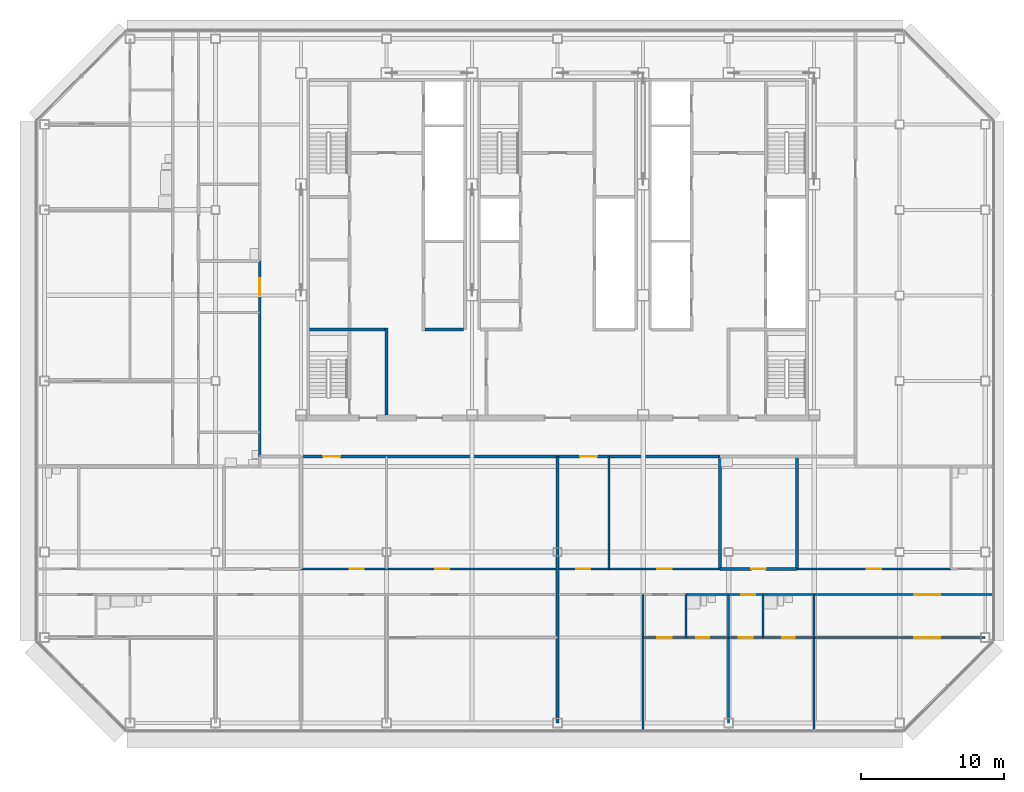
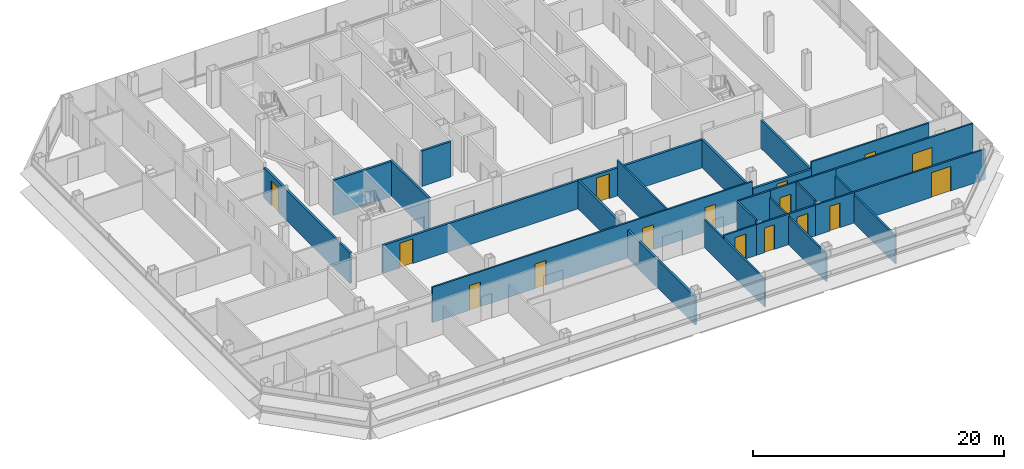
# One storey, part 21 of 26: 28 walls, 16 doors, 16 openings.
"""IFC4 building model written with IfcOpenShell, lengths in metres."""

from ifc_helpers import new_model, si_unit, direction, frame, frame_2d, origin, place, context, subcontext, project, spatial, rectangle, extrude, material, layer, layer_set, type_object, element, fill, save


model = new_model("IFC4")

# Units and contexts
model_context = context("Model", 3, precision=1e-05, world=origin(), true_north=direction((0.0, 1.0)))
body_context = subcontext(model_context, "Body", "Model", "MODEL_VIEW")
ifc_project = project(units=[si_unit("LENGTHUNIT", "METRE"), si_unit("AREAUNIT", "SQUARE_METRE"), si_unit("VOLUMEUNIT", "CUBIC_METRE"), si_unit("PLANEANGLEUNIT", "RADIAN"), si_unit("MASSUNIT", "GRAM", prefix="KILO")], contexts=[model_context])

# Site, building, storey
site_placement = place(None, origin())
site = spatial("IfcSite", under=ifc_project, at=site_placement, CompositionType="ELEMENT")
building_placement = place(site_placement, origin())
building = spatial("IfcBuilding", under=site, at=building_placement, Name="Sorahane Residences", CompositionType="ELEMENT")
storey_placement = place(building_placement, frame((0.0, 0.0, 243.199951171875)))
storey = spatial("IfcBuildingStorey", under=building, at=storey_placement, Name="L57", CompositionType="ELEMENT", Elevation=243.199951171875)

# Wall, opening, door
ifc_material_1 = material(Name="Concrete blockwork C20 wall", Category="masonry")
ifc_layer_1 = layer(ifc_material_1, 0.199951171875)
ifc_layer_set_1 = layer_set([ifc_layer_1], Name="Corridor wall 200 EI 120")
wall_type_1 = type_object("IfcWallType", Name="Corridor wall 200 EI 120", PredefinedType="SOLIDWALL", material=ifc_layer_set_1)
wall_1_placement = place(storey_placement, frame((3.10009765625, 18.699951171875, 0.0), z_axis=(0.0, 0.0, 1.0), x_axis=(0.0, 1.0, 0.0)))
wall_1 = element("IfcWall", 1, at=wall_1_placement, inside=storey, type_object=wall_type_1, Name="L57 corridor wall", PredefinedType="SOLIDWALL", context=body_context, shape_type="SweptSolid", body=[
    extrude(rectangle(XDim=13.699951171875, YDim=0.199951171875, at=frame_2d((6.85009765625, 0.0))), origin(), (0.0, 0.0, 1.0), 2.969970703125),
])
opening_1_placement = place(wall_1_placement, frame((11.300048828125, 0.0, 0.0)))
opening_1 = element("IfcOpeningElement", 2, at=opening_1_placement, cuts=wall_1, Name="Opening L57-42", PredefinedType="OPENING", context=body_context, shape_type="SweptSolid", body=[
    extrude(rectangle(XDim=1.199951171875, YDim=2.39990234375, at=frame_2d((0.60009765625, 1.199951171875))), frame((0.0, 0.10986328125, 0.0), z_axis=(0.0, -1.0, 0.0), x_axis=(1.0, 0.0, 0.0)), (0.0, 0.0, 1.0), 0.219970703125),
])
ifc_material_2 = material(Name="Timber veneered fire door", Category="wood")
door_type_1 = type_object("IfcDoorType", Name="Flat entrance door 1200x2400 FD60", OperationType="NOTDEFINED", PredefinedType="DOOR", material=ifc_material_2)
door_1_placement = place(opening_1_placement, origin())
door_1 = element("IfcDoor", 3, at=door_1_placement, inside=storey, type_object=door_type_1, Name="Flat entrance door L57-42", OperationType="SINGLE_SWING_LEFT", OverallHeight=2.39990234375, OverallWidth=1.199951171875, PredefinedType="DOOR", context=body_context, shape_type="SweptSolid", body=[
    extrude(rectangle(XDim=1.199951171875, YDim=2.39990234375, at=frame_2d((0.60009765625, 1.199951171875))), frame((0.0, 0.02490234375, 0.0), z_axis=(0.0, -1.0, 0.0), x_axis=(1.0, 0.0, 0.0)), (0.0, 0.0, 1.0), 0.050048828125),
])
fill(opening_1, door_1)

# Wall, openings, doors
wall_2_placement = place(storey_placement, frame((6.0, 18.699951171875, 0.0), z_axis=(0.0, 0.0, 1.0), x_axis=(1.0, 0.0, 0.0)))
wall_2 = element("IfcWall", 4, at=wall_2_placement, inside=storey, type_object=wall_type_1, Name="L57 corridor wall", PredefinedType="SOLIDWALL", context=body_context, shape_type="SweptSolid", body=[
    extrude(rectangle(XDim=29.39990234375, YDim=0.199951171875, at=frame_2d((14.699951171875, 0.0))), origin(), (0.0, 0.0, 1.0), 2.719970703125),
])
opening_2_placement = place(wall_2_placement, frame((1.5400390625, 0.0, 0.0)))
opening_2 = element("IfcOpeningElement", 5, at=opening_2_placement, cuts=wall_2, Name="Opening L57-40", PredefinedType="OPENING", context=body_context, shape_type="SweptSolid", body=[
    extrude(rectangle(XDim=1.199951171875, YDim=2.39990234375, at=frame_2d((0.60009765625, 1.199951171875))), frame((0.0, 0.10986328125, 0.0), z_axis=(0.0, -1.0, 0.0), x_axis=(1.0, 0.0, 0.0)), (0.0, 0.0, 1.0), 0.219970703125),
])
opening_3_placement = place(wall_2_placement, frame((19.580078125, 0.0, 0.0)))
opening_3 = element("IfcOpeningElement", 6, at=opening_3_placement, cuts=wall_2, Name="Opening L57-41", PredefinedType="OPENING", context=body_context, shape_type="SweptSolid", body=[
    extrude(rectangle(XDim=1.199951171875, YDim=2.39990234375, at=frame_2d((0.60009765625, 1.199951171875))), frame((0.0, 0.10986328125, 0.0), z_axis=(0.0, -1.0, 0.0), x_axis=(1.0, 0.0, 0.0)), (0.0, 0.0, 1.0), 0.219970703125),
])
door_2_placement = place(opening_2_placement, frame((1.199951171875, 0.0, 0.0), z_axis=(0.0, 0.0, 1.0), x_axis=(-1.0, 0.0, 0.0)))
door_2 = element("IfcDoor", 7, at=door_2_placement, inside=storey, type_object=door_type_1, Name="Flat entrance door L57-40", OperationType="SINGLE_SWING_LEFT", OverallHeight=2.39990234375, OverallWidth=1.199951171875, PredefinedType="DOOR", context=body_context, shape_type="SweptSolid", body=[
    extrude(rectangle(XDim=1.199951171875, YDim=2.39990234375, at=frame_2d((0.60009765625, 1.199951171875))), frame((0.0, 0.02490234375, 0.0), z_axis=(0.0, -1.0, 0.0), x_axis=(1.0, 0.0, 0.0)), (0.0, 0.0, 1.0), 0.050048828125),
])
fill(opening_2, door_2)
door_3_placement = place(opening_3_placement, frame((1.199951171875, 0.0, 0.0), z_axis=(0.0, 0.0, 1.0), x_axis=(-1.0, 0.0, 0.0)))
door_3 = element("IfcDoor", 8, at=door_3_placement, inside=storey, type_object=door_type_1, Name="Flat entrance door L57-41", OperationType="SINGLE_SWING_RIGHT", OverallHeight=2.39990234375, OverallWidth=1.199951171875, PredefinedType="DOOR", context=body_context, shape_type="SweptSolid", body=[
    extrude(rectangle(XDim=1.199951171875, YDim=2.39990234375, at=frame_2d((0.60009765625, 1.199951171875))), frame((0.0, 0.02490234375, 0.0), z_axis=(0.0, -1.0, 0.0), x_axis=(1.0, 0.0, 0.0)), (0.0, 0.0, 1.0), 0.050048828125),
])
fill(opening_3, door_3)

# Walls
ifc_material_3 = material(Name="Concrete C30", Category="concrete")
ifc_layer_2 = layer(ifc_material_3, 0.199951171875)
ifc_layer_set_2 = layer_set([ifc_layer_2], Name="Front room wall 200 EI 120")
wall_type_2 = type_object("IfcWallType", Name="Front room wall 200 EI 120", PredefinedType="PARTITIONING", material=ifc_layer_set_2)
wall_3_placement = place(storey_placement, frame((12.0, 21.60009765625, 0.0), z_axis=(0.0, 0.0, 1.0), x_axis=(0.0, 1.0, 0.0)))
element("IfcWall", 9, at=wall_3_placement, inside=storey, type_object=wall_type_2, Name="L57 front room wall", PredefinedType="PARTITIONING", context=body_context, shape_type="SweptSolid", body=[
    extrude(rectangle(XDim=6.099853515625, YDim=0.199951171875, at=frame_2d((3.0498046875, 0.0))), origin(), (0.0, 0.0, 1.0), 3.420166015625),
])
ifc_material_4 = material(Name="Concrete blockwork C20 wall", Category="masonry")
ifc_layer_3 = layer(ifc_material_4, 0.199951171875)
ifc_layer_set_3 = layer_set([ifc_layer_3], Name="Kitchen wall 200 EI 180")
wall_type_3 = type_object("IfcWallType", Name="Kitchen wall 200 EI 180", PredefinedType="SOLIDWALL", material=ifc_layer_set_3)
for number, where, z_axis, x_axis, name in (
    (10, (35.39990234375, 10.800048828125, 0.0), (0.0, 0.0, 1.0), (0.0, 1.0, 0.0), "L57 kitchen wall"),
    (11, (40.800048828125, 10.800048828125, 0.0), (0.0, 0.0, 1.0), (0.0, 1.0, 0.0), "L57 kitchen wall"),
):
    element("IfcWall", number, at=place(storey_placement, frame(where, z_axis=z_axis, x_axis=x_axis)), inside=storey, type_object=wall_type_3, Name=name, PredefinedType="SOLIDWALL", context=body_context, shape_type="SweptSolid", body=[
        extrude(rectangle(XDim=7.89990234375, YDim=0.199951171875, at=frame_2d((3.949951171875, 0.0))), origin(), (0.0, 0.0, 1.0), 2.719970703125),
    ])

# Wall, opening, door
wall_4_placement = place(storey_placement, frame((35.39990234375, 10.800048828125, 0.0), z_axis=(0.0, 0.0, 1.0), x_axis=(1.0, 0.0, 0.0)))
wall_4 = element("IfcWall", 12, at=wall_4_placement, inside=storey, type_object=wall_type_3, Name="L57 kitchen wall", PredefinedType="SOLIDWALL", context=body_context, shape_type="SweptSolid", body=[
    extrude(rectangle(XDim=5.400146484375, YDim=0.199951171875, at=frame_2d((2.7001953125, 0.0))), origin(), (0.0, 0.0, 1.0), 2.719970703125),
])
opening_4_placement = place(wall_4_placement, frame((2.199951171875, 0.0, 0.0)))
opening_4 = element("IfcOpeningElement", 13, at=opening_4_placement, cuts=wall_4, Name="Opening L57-16", PredefinedType="OPENING", context=body_context, shape_type="SweptSolid", body=[
    extrude(rectangle(XDim=1.0, YDim=2.39990234375, at=frame_2d((0.5, 1.199951171875))), frame((0.0, 0.10986328125, 0.0), z_axis=(0.0, -1.0, 0.0), x_axis=(1.0, 0.0, 0.0)), (0.0, 0.0, 1.0), 0.219970703125),
])
ifc_material_5 = material(Name="Steel", Category="steel")
door_type_2 = type_object("IfcDoorType", Name="Kitchen door 1000x2400 FD120", OperationType="NOTDEFINED", PredefinedType="DOOR", material=ifc_material_5)
door_4_placement = place(opening_4_placement, origin())
door_4 = element("IfcDoor", 14, at=door_4_placement, inside=storey, type_object=door_type_2, Name="Kitchen door L57-16", OperationType="SINGLE_SWING_LEFT", OverallHeight=2.39990234375, OverallWidth=1.0, PredefinedType="DOOR", context=body_context, shape_type="SweptSolid", body=[
    extrude(rectangle(XDim=1.0, YDim=2.39990234375, at=frame_2d((0.5, 1.199951171875))), frame((0.0, 0.02490234375, 0.0), z_axis=(0.0, -1.0, 0.0), x_axis=(1.0, 0.0, 0.0)), (0.0, 0.0, 1.0), 0.050048828125),
])
fill(opening_4, door_4)

# Walls
ifc_material_6 = material(Name="Gypsum board partition on steel studs", Category="steel")
ifc_layer_4 = layer(ifc_material_6, 0.14990234375)
ifc_layer_set_4 = layer_set([ifc_layer_4], Name="Partition 150 EI 90")
wall_type_4 = type_object("IfcWallType", Name="Partition 150 EI 90", PredefinedType="PARTITIONING", material=ifc_layer_set_4)
wall_5_placement = place(storey_placement, frame((27.60009765625, 10.800048828125, 0.0), z_axis=(0.0, 0.0, 1.0), x_axis=(0.0, 1.0, 0.0)))
element("IfcWall", 15, at=wall_5_placement, inside=storey, type_object=wall_type_4, Name="L57 partition", PredefinedType="PARTITIONING", context=body_context, shape_type="SweptSolid", body=[
    extrude(rectangle(XDim=7.89990234375, YDim=0.14990234375, at=frame_2d((3.949951171875, 0.0))), origin(), (0.0, 0.0, 1.0), 3.420166015625),
])
wall_6_placement = place(storey_placement, frame((30.0, -0.60009765625, 0.0), z_axis=(0.0, 0.0, 1.0), x_axis=(0.0, 1.0, 0.0)))
element("IfcWall", 16, at=wall_6_placement, inside=storey, type_object=wall_type_4, Name="L57 partition", PredefinedType="PARTITIONING", context=body_context, shape_type="SweptSolid", body=[
    extrude(rectangle(XDim=9.60009765625, YDim=0.14990234375, at=frame_2d((4.800048828125, 0.0))), origin(), (0.0, 0.0, 1.0), 2.719970703125),
])
wall_7_placement = place(storey_placement, frame((36.0, 0.0, 0.0), z_axis=(0.0, 0.0, 1.0), x_axis=(0.0, 1.0, 0.0)))
element("IfcWall", 17, at=wall_7_placement, inside=storey, type_object=wall_type_4, Name="L57 partition", PredefinedType="PARTITIONING", context=body_context, shape_type="SweptSolid", body=[
    extrude(rectangle(XDim=6.0, YDim=0.14990234375, at=frame_2d((3.0, 0.0))), origin(), (0.0, 0.0, 1.0), 2.719970703125),
])
wall_8_placement = place(storey_placement, frame((42.0, -0.60009765625, 0.0), z_axis=(0.0, 0.0, 1.0), x_axis=(0.0, 1.0, 0.0)))
element("IfcWall", 18, at=wall_8_placement, inside=storey, type_object=wall_type_4, Name="L57 partition", PredefinedType="PARTITIONING", context=body_context, shape_type="SweptSolid", body=[
    extrude(rectangle(XDim=6.60009765625, YDim=0.14990234375, at=frame_2d((3.300048828125, 0.0))), origin(), (0.0, 0.0, 1.0), 2.719970703125),
])

# Wall, openings, doors
wall_9_placement = place(storey_placement, frame((6.0, 10.800048828125, 0.0), z_axis=(0.0, 0.0, 1.0), x_axis=(1.0, 0.0, 0.0)))
wall_9 = element("IfcWall", 19, at=wall_9_placement, inside=storey, type_object=wall_type_4, Name="L57 partition", PredefinedType="PARTITIONING", context=body_context, shape_type="SweptSolid", body=[
    extrude(rectangle(XDim=29.39990234375, YDim=0.14990234375, at=frame_2d((14.699951171875, 0.0))), origin(), (0.0, 0.0, 1.0), 3.420166015625),
])
opening_5_placement = place(wall_9_placement, frame((3.39990234375, 0.0, 0.0)))
opening_5 = element("IfcOpeningElement", 20, at=opening_5_placement, cuts=wall_9, Name="Opening L57-01", PredefinedType="OPENING", context=body_context, shape_type="SweptSolid", body=[
    extrude(rectangle(XDim=1.0, YDim=2.39990234375, at=frame_2d((0.5, 1.199951171875))), frame((0.0, 0.0849609375, 0.0), z_axis=(0.0, -1.0, 0.0), x_axis=(1.0, 0.0, 0.0)), (0.0, 0.0, 1.0), 0.169921875),
])
opening_6_placement = place(wall_9_placement, frame((9.39990234375, 0.0, 0.0)))
opening_6 = element("IfcOpeningElement", 21, at=opening_6_placement, cuts=wall_9, Name="Opening L57-05", PredefinedType="OPENING", context=body_context, shape_type="SweptSolid", body=[
    extrude(rectangle(XDim=1.0, YDim=2.39990234375, at=frame_2d((0.5, 1.199951171875))), frame((0.0, 0.0849609375, 0.0), z_axis=(0.0, -1.0, 0.0), x_axis=(1.0, 0.0, 0.0)), (0.0, 0.0, 1.0), 0.169921875),
])
opening_7_placement = place(wall_9_placement, frame((19.300048828125, 0.0, 0.0)))
opening_7 = element("IfcOpeningElement", 22, at=opening_7_placement, cuts=wall_9, Name="Opening L57-14", PredefinedType="OPENING", context=body_context, shape_type="SweptSolid", body=[
    extrude(rectangle(XDim=1.0, YDim=2.39990234375, at=frame_2d((0.5, 1.199951171875))), frame((0.0, 0.0849609375, 0.0), z_axis=(0.0, -1.0, 0.0), x_axis=(1.0, 0.0, 0.0)), (0.0, 0.0, 1.0), 0.169921875),
])
opening_8_placement = place(wall_9_placement, frame((25.0, 0.0, 0.0)))
opening_8 = element("IfcOpeningElement", 23, at=opening_8_placement, cuts=wall_9, Name="Opening L57-15", PredefinedType="OPENING", context=body_context, shape_type="SweptSolid", body=[
    extrude(rectangle(XDim=1.0, YDim=2.39990234375, at=frame_2d((0.5, 1.199951171875))), frame((0.0, 0.0849609375, 0.0), z_axis=(0.0, -1.0, 0.0), x_axis=(1.0, 0.0, 0.0)), (0.0, 0.0, 1.0), 0.169921875),
])
ifc_material_7 = material(Name="Timber veneered fire door", Category="wood")
door_type_3 = type_object("IfcDoorType", Name="Room door 1000x2400 FD30", OperationType="NOTDEFINED", PredefinedType="DOOR", material=ifc_material_7)
door_5_placement = place(opening_5_placement, frame((1.0, 0.0, 0.0), z_axis=(0.0, 0.0, 1.0), x_axis=(-1.0, 0.0, 0.0)))
door_5 = element("IfcDoor", 24, at=door_5_placement, inside=storey, type_object=door_type_3, Name="Room door L57-01", OperationType="SINGLE_SWING_LEFT", OverallHeight=2.39990234375, OverallWidth=1.0, PredefinedType="DOOR", context=body_context, shape_type="SweptSolid", body=[
    extrude(rectangle(XDim=1.0, YDim=2.39990234375, at=frame_2d((0.5, 1.199951171875))), frame((0.0, 0.02490234375, 0.0), z_axis=(0.0, -1.0, 0.0), x_axis=(1.0, 0.0, 0.0)), (0.0, 0.0, 1.0), 0.050048828125),
])
fill(opening_5, door_5)
door_6_placement = place(opening_6_placement, origin())
door_6 = element("IfcDoor", 25, at=door_6_placement, inside=storey, type_object=door_type_3, Name="Room door L57-05", OperationType="SINGLE_SWING_LEFT", OverallHeight=2.39990234375, OverallWidth=1.0, PredefinedType="DOOR", context=body_context, shape_type="SweptSolid", body=[
    extrude(rectangle(XDim=1.0, YDim=2.39990234375, at=frame_2d((0.5, 1.199951171875))), frame((0.0, 0.02490234375, 0.0), z_axis=(0.0, -1.0, 0.0), x_axis=(1.0, 0.0, 0.0)), (0.0, 0.0, 1.0), 0.050048828125),
])
fill(opening_6, door_6)
door_7_placement = place(opening_7_placement, frame((1.0, 0.0, 0.0), z_axis=(0.0, 0.0, 1.0), x_axis=(-1.0, 0.0, 0.0)))
door_7 = element("IfcDoor", 26, at=door_7_placement, inside=storey, type_object=door_type_3, Name="Room door L57-14", OperationType="SINGLE_SWING_LEFT", OverallHeight=2.39990234375, OverallWidth=1.0, PredefinedType="DOOR", context=body_context, shape_type="SweptSolid", body=[
    extrude(rectangle(XDim=1.0, YDim=2.39990234375, at=frame_2d((0.5, 1.199951171875))), frame((0.0, 0.02490234375, 0.0), z_axis=(0.0, -1.0, 0.0), x_axis=(1.0, 0.0, 0.0)), (0.0, 0.0, 1.0), 0.050048828125),
])
fill(opening_7, door_7)
door_8_placement = place(opening_8_placement, origin())
door_8 = element("IfcDoor", 27, at=door_8_placement, inside=storey, type_object=door_type_3, Name="Room door L57-15", OperationType="SINGLE_SWING_LEFT", OverallHeight=2.39990234375, OverallWidth=1.0, PredefinedType="DOOR", context=body_context, shape_type="SweptSolid", body=[
    extrude(rectangle(XDim=1.0, YDim=2.39990234375, at=frame_2d((0.5, 1.199951171875))), frame((0.0, 0.02490234375, 0.0), z_axis=(0.0, -1.0, 0.0), x_axis=(1.0, 0.0, 0.0)), (0.0, 0.0, 1.0), 0.050048828125),
])
fill(opening_8, door_8)

# Wall, opening, door
wall_10_placement = place(storey_placement, frame((40.800048828125, 10.800048828125, 0.0), z_axis=(0.0, 0.0, 1.0), x_axis=(1.0, 0.0, 0.0)))
wall_10 = element("IfcWall", 28, at=wall_10_placement, inside=storey, type_object=wall_type_4, Name="L57 partition", PredefinedType="PARTITIONING", context=body_context, shape_type="SweptSolid", body=[
    extrude(rectangle(XDim=10.800048828125, YDim=0.14990234375, at=frame_2d((5.39990234375, 0.0))), origin(), (0.0, 0.0, 1.0), 3.420166015625),
])
opening_9_placement = place(wall_10_placement, frame((4.89990234375, 0.0, 0.0)))
opening_9 = element("IfcOpeningElement", 29, at=opening_9_placement, cuts=wall_10, Name="Opening L57-17", PredefinedType="OPENING", context=body_context, shape_type="SweptSolid", body=[
    extrude(rectangle(XDim=1.0, YDim=2.39990234375, at=frame_2d((0.5, 1.199951171875))), frame((0.0, 0.0849609375, 0.0), z_axis=(0.0, -1.0, 0.0), x_axis=(1.0, 0.0, 0.0)), (0.0, 0.0, 1.0), 0.169921875),
])
door_9_placement = place(opening_9_placement, origin())
door_9 = element("IfcDoor", 30, at=door_9_placement, inside=storey, type_object=door_type_3, Name="Room door L57-17", OperationType="SINGLE_SWING_RIGHT", OverallHeight=2.39990234375, OverallWidth=1.0, PredefinedType="DOOR", context=body_context, shape_type="SweptSolid", body=[
    extrude(rectangle(XDim=1.0, YDim=2.39990234375, at=frame_2d((0.5, 1.199951171875))), frame((0.0, 0.02490234375, 0.0), z_axis=(0.0, -1.0, 0.0), x_axis=(1.0, 0.0, 0.0)), (0.0, 0.0, 1.0), 0.050048828125),
])
fill(opening_9, door_9)

wall_11_placement = place(storey_placement, frame((30.0, 6.0, 0.0), z_axis=(0.0, 0.0, 1.0), x_axis=(1.0, 0.0, 0.0)))
wall_11 = element("IfcWall", 31, at=wall_11_placement, inside=storey, type_object=wall_type_4, Name="L57 partition", PredefinedType="PARTITIONING", context=body_context, shape_type="SweptSolid", body=[
    extrude(rectangle(XDim=3.0, YDim=0.14990234375, at=frame_2d((1.5, 0.0))), origin(), (0.0, 0.0, 1.0), 2.969970703125),
])
opening_10_placement = place(wall_11_placement, frame((1.0, 0.0, 0.0)))
opening_10 = element("IfcOpeningElement", 32, at=opening_10_placement, cuts=wall_11, Name="Opening L57-23", PredefinedType="OPENING", context=body_context, shape_type="SweptSolid", body=[
    extrude(rectangle(XDim=1.0, YDim=2.39990234375, at=frame_2d((0.5, 1.199951171875))), frame((0.0, 0.0849609375, 0.0), z_axis=(0.0, -1.0, 0.0), x_axis=(1.0, 0.0, 0.0)), (0.0, 0.0, 1.0), 0.169921875),
])
door_10_placement = place(opening_10_placement, frame((1.0, 0.0, 0.0), z_axis=(0.0, 0.0, 1.0), x_axis=(-1.0, 0.0, 0.0)))
door_10 = element("IfcDoor", 33, at=door_10_placement, inside=storey, type_object=door_type_3, Name="Room door L57-23", OperationType="SINGLE_SWING_LEFT", OverallHeight=2.39990234375, OverallWidth=1.0, PredefinedType="DOOR", context=body_context, shape_type="SweptSolid", body=[
    extrude(rectangle(XDim=1.0, YDim=2.39990234375, at=frame_2d((0.5, 1.199951171875))), frame((0.0, 0.02490234375, 0.0), z_axis=(0.0, -1.0, 0.0), x_axis=(1.0, 0.0, 0.0)), (0.0, 0.0, 1.0), 0.050048828125),
])
fill(opening_10, door_10)

wall_12_placement = place(storey_placement, frame((36.0, 6.0, 0.0), z_axis=(0.0, 0.0, 1.0), x_axis=(1.0, 0.0, 0.0)))
wall_12 = element("IfcWall", 34, at=wall_12_placement, inside=storey, type_object=wall_type_4, Name="L57 partition", PredefinedType="PARTITIONING", context=body_context, shape_type="SweptSolid", body=[
    extrude(rectangle(XDim=2.39990234375, YDim=0.14990234375, at=frame_2d((1.199951171875, 0.0))), origin(), (0.0, 0.0, 1.0), 2.969970703125),
])
opening_11_placement = place(wall_12_placement, frame((0.699951171875, 0.0, 0.0)))
opening_11 = element("IfcOpeningElement", 35, at=opening_11_placement, cuts=wall_12, Name="Opening L57-25", PredefinedType="OPENING", context=body_context, shape_type="SweptSolid", body=[
    extrude(rectangle(XDim=1.0, YDim=2.39990234375, at=frame_2d((0.5, 1.199951171875))), frame((0.0, 0.0849609375, 0.0), z_axis=(0.0, -1.0, 0.0), x_axis=(1.0, 0.0, 0.0)), (0.0, 0.0, 1.0), 0.169921875),
])
door_11_placement = place(opening_11_placement, frame((1.0, 0.0, 0.0), z_axis=(0.0, 0.0, 1.0), x_axis=(-1.0, 0.0, 0.0)))
door_11 = element("IfcDoor", 36, at=door_11_placement, inside=storey, type_object=door_type_3, Name="Room door L57-25", OperationType="SINGLE_SWING_RIGHT", OverallHeight=2.39990234375, OverallWidth=1.0, PredefinedType="DOOR", context=body_context, shape_type="SweptSolid", body=[
    extrude(rectangle(XDim=1.0, YDim=2.39990234375, at=frame_2d((0.5, 1.199951171875))), frame((0.0, 0.02490234375, 0.0), z_axis=(0.0, -1.0, 0.0), x_axis=(1.0, 0.0, 0.0)), (0.0, 0.0, 1.0), 0.050048828125),
])
fill(opening_11, door_11)

wall_13_placement = place(storey_placement, frame((42.0, 6.0, 0.0), z_axis=(0.0, 0.0, 1.0), x_axis=(1.0, 0.0, 0.0)))
wall_13 = element("IfcWall", 37, at=wall_13_placement, inside=storey, type_object=wall_type_4, Name="L57 partition", PredefinedType="PARTITIONING", context=body_context, shape_type="SweptSolid", body=[
    extrude(rectangle(XDim=12.0, YDim=0.14990234375, at=frame_2d((6.0, 0.0))), origin(), (0.0, 0.0, 1.0), 2.969970703125),
])
opening_12_placement = place(wall_13_placement, frame((7.0400390625, 0.0, 0.0)))
opening_12 = element("IfcOpeningElement", 38, at=opening_12_placement, cuts=wall_13, Name="Opening L57-27", PredefinedType="OPENING", context=body_context, shape_type="SweptSolid", body=[
    extrude(rectangle(XDim=1.800048828125, YDim=2.39990234375, at=frame_2d((0.89990234375, 1.199951171875))), frame((0.0, 0.0849609375, 0.0), z_axis=(0.0, -1.0, 0.0), x_axis=(1.0, 0.0, 0.0)), (0.0, 0.0, 1.0), 0.169921875),
])
ifc_material_8 = material(Name="Timber veneered fire door", Category="wood")
door_type_4 = type_object("IfcDoorType", Name="Double door 1800x2400 FD30", OperationType="NOTDEFINED", PredefinedType="DOOR", material=ifc_material_8)
door_12_placement = place(opening_12_placement, frame((1.800048828125, 0.0, 0.0), z_axis=(0.0, 0.0, 1.0), x_axis=(-1.0, 0.0, 0.0)))
door_12 = element("IfcDoor", 39, at=door_12_placement, inside=storey, type_object=door_type_4, Name="Double door L57-27", OperationType="SINGLE_SWING_RIGHT", OverallHeight=2.39990234375, OverallWidth=1.800048828125, PredefinedType="DOOR", context=body_context, shape_type="SweptSolid", body=[
    extrude(rectangle(XDim=1.800048828125, YDim=2.39990234375, at=frame_2d((0.89990234375, 1.199951171875))), frame((0.0, 0.02490234375, 0.0), z_axis=(0.0, -1.0, 0.0), x_axis=(1.0, 0.0, 0.0)), (0.0, 0.0, 1.0), 0.050048828125),
])
fill(opening_12, door_12)

wall_14_placement = place(storey_placement, frame((36.0, 9.0, 0.0), z_axis=(0.0, 0.0, 1.0), x_axis=(1.0, 0.0, 0.0)))
wall_14 = element("IfcWall", 40, at=wall_14_placement, inside=storey, type_object=wall_type_4, Name="L57 partition", PredefinedType="PARTITIONING", context=body_context, shape_type="SweptSolid", body=[
    extrude(rectangle(XDim=2.39990234375, YDim=0.14990234375, at=frame_2d((1.199951171875, 0.0))), origin(), (0.0, 0.0, 1.0), 3.420166015625),
])
opening_13_placement = place(wall_14_placement, frame((0.8798828125, 0.0, 0.0)))
opening_13 = element("IfcOpeningElement", 41, at=opening_13_placement, cuts=wall_14, Name="Opening L57-21", PredefinedType="OPENING", context=body_context, shape_type="SweptSolid", body=[
    extrude(rectangle(XDim=1.0, YDim=2.39990234375, at=frame_2d((0.5, 1.199951171875))), frame((0.0, 0.0849609375, 0.0), z_axis=(0.0, -1.0, 0.0), x_axis=(1.0, 0.0, 0.0)), (0.0, 0.0, 1.0), 0.169921875),
])
door_13_placement = place(opening_13_placement, frame((1.0, 0.0, 0.0), z_axis=(0.0, 0.0, 1.0), x_axis=(-1.0, 0.0, 0.0)))
door_13 = element("IfcDoor", 42, at=door_13_placement, inside=storey, type_object=door_type_3, Name="Room door L57-21", OperationType="SINGLE_SWING_RIGHT", OverallHeight=2.39990234375, OverallWidth=1.0, PredefinedType="DOOR", context=body_context, shape_type="SweptSolid", body=[
    extrude(rectangle(XDim=1.0, YDim=2.39990234375, at=frame_2d((0.5, 1.199951171875))), frame((0.0, 0.02490234375, 0.0), z_axis=(0.0, -1.0, 0.0), x_axis=(1.0, 0.0, 0.0)), (0.0, 0.0, 1.0), 0.050048828125),
])
fill(opening_13, door_13)

wall_15_placement = place(storey_placement, frame((42.0, 9.0, 0.0), z_axis=(0.0, 0.0, 1.0), x_axis=(1.0, 0.0, 0.0)))
wall_15 = element("IfcWall", 43, at=wall_15_placement, inside=storey, type_object=wall_type_4, Name="L57 partition", PredefinedType="PARTITIONING", context=body_context, shape_type="SweptSolid", body=[
    extrude(rectangle(XDim=12.60009765625, YDim=0.14990234375, at=frame_2d((6.300048828125, 0.0))), origin(), (0.0, 0.0, 1.0), 3.420166015625),
])
opening_14_placement = place(wall_15_placement, frame((7.0400390625, 0.0, 0.0)))
opening_14 = element("IfcOpeningElement", 44, at=opening_14_placement, cuts=wall_15, Name="Opening L57-22", PredefinedType="OPENING", context=body_context, shape_type="SweptSolid", body=[
    extrude(rectangle(XDim=1.800048828125, YDim=2.39990234375, at=frame_2d((0.89990234375, 1.199951171875))), frame((0.0, 0.0849609375, 0.0), z_axis=(0.0, -1.0, 0.0), x_axis=(1.0, 0.0, 0.0)), (0.0, 0.0, 1.0), 0.169921875),
])
door_14_placement = place(opening_14_placement, frame((1.800048828125, 0.0, 0.0), z_axis=(0.0, 0.0, 1.0), x_axis=(-1.0, 0.0, 0.0)))
door_14 = element("IfcDoor", 45, at=door_14_placement, inside=storey, type_object=door_type_4, Name="Double door L57-22", OperationType="SINGLE_SWING_LEFT", OverallHeight=2.39990234375, OverallWidth=1.800048828125, PredefinedType="DOOR", context=body_context, shape_type="SweptSolid", body=[
    extrude(rectangle(XDim=1.800048828125, YDim=2.39990234375, at=frame_2d((0.89990234375, 1.199951171875))), frame((0.0, 0.02490234375, 0.0), z_axis=(0.0, -1.0, 0.0), x_axis=(1.0, 0.0, 0.0)), (0.0, 0.0, 1.0), 0.050048828125),
])
fill(opening_14, door_14)

# Walls
ifc_material_9 = material(Name="Concrete blockwork C20 wall", Category="masonry")
ifc_layer_5 = layer(ifc_material_9, 0.199951171875)
ifc_layer_set_5 = layer_set([ifc_layer_5], Name="Party wall 200 EI 120")
wall_type_5 = type_object("IfcWallType", Name="Party wall 200 EI 120", PredefinedType="SOLIDWALL", material=ifc_layer_set_5)
wall_16_placement = place(storey_placement, frame((24.0, 0.0, 0.0), z_axis=(0.0, 0.0, 1.0), x_axis=(0.0, 1.0, 0.0)))
element("IfcWall", 46, at=wall_16_placement, inside=storey, type_object=wall_type_5, Name="L57 party wall", PredefinedType="SOLIDWALL", context=body_context, shape_type="SweptSolid", body=[
    extrude(rectangle(XDim=18.699951171875, YDim=0.199951171875, at=frame_2d((9.35009765625, 0.0))), origin(), (0.0, 0.0, 1.0), 2.719970703125),
])
ifc_material_10 = material(Name="Concrete C30", Category="concrete")
ifc_layer_6 = layer(ifc_material_10, 0.199951171875)
ifc_layer_set_6 = layer_set([ifc_layer_6], Name="Service room partition 200 EI 60")
wall_type_6 = type_object("IfcWallType", Name="Service room partition 200 EI 60", PredefinedType="PARTITIONING", material=ifc_layer_set_6)
wall_17_placement = place(storey_placement, frame((14.699951171875, 27.60009765625, 0.0), z_axis=(0.0, 0.0, 1.0), x_axis=(1.0, 0.0, 0.0)))
element("IfcWall", 47, at=wall_17_placement, inside=storey, type_object=wall_type_6, Name="L57 service room wall", PredefinedType="PARTITIONING", context=body_context, shape_type="SweptSolid", body=[
    extrude(rectangle(XDim=2.699951171875, YDim=0.199951171875, at=frame_2d((1.35009765625, 0.0))), origin(), (0.0, 0.0, 1.0), 3.420166015625),
])
ifc_material_11 = material(Name="Concrete C30", Category="concrete")
ifc_layer_7 = layer(ifc_material_11, 0.199951171875)
ifc_layer_set_7 = layer_set([ifc_layer_7], Name="Stair enclosure wall 200 EI 120")
wall_type_7 = type_object("IfcWallType", Name="Stair enclosure wall 200 EI 120", PredefinedType="SOLIDWALL", material=ifc_layer_set_7)
wall_18_placement = place(storey_placement, frame((6.60009765625, 27.60009765625, 0.0), z_axis=(0.0, 0.0, 1.0), x_axis=(1.0, 0.0, 0.0)))
element("IfcWall", 48, at=wall_18_placement, inside=storey, type_object=wall_type_7, Name="L57 stair enclosure wall", PredefinedType="SOLIDWALL", context=body_context, shape_type="SweptSolid", body=[
    extrude(rectangle(XDim=5.2998046875, YDim=0.199951171875, at=frame_2d((2.64990234375, 0.0))), origin(), (0.0, 0.0, 1.0), 3.420166015625),
])
ifc_material_12 = material(Name="Gypsum board partition on steel studs", Category="steel")
ifc_layer_8 = layer(ifc_material_12, 0.14990234375)
ifc_layer_set_8 = layer_set([ifc_layer_8], Name="Wet wall 150 EI 90")
wall_type_8 = type_object("IfcWallType", Name="Wet wall 150 EI 90", PredefinedType="PARTITIONING", material=ifc_layer_set_8)
wall_19_placement = place(storey_placement, frame((33.0, 6.0, 0.0), z_axis=(0.0, 0.0, 1.0), x_axis=(0.0, 1.0, 0.0)))
element("IfcWall", 49, at=wall_19_placement, inside=storey, type_object=wall_type_8, Name="L57 wet wall", PredefinedType="PARTITIONING", context=body_context, shape_type="SweptSolid", body=[
    extrude(rectangle(XDim=3.0, YDim=0.14990234375, at=frame_2d((1.5, 0.0))), origin(), (0.0, 0.0, 1.0), 3.420166015625),
])
wall_20_placement = place(storey_placement, frame((36.0, 6.0, 0.0), z_axis=(0.0, 0.0, 1.0), x_axis=(0.0, 1.0, 0.0)))
element("IfcWall", 50, at=wall_20_placement, inside=storey, type_object=wall_type_8, Name="L57 wet wall", PredefinedType="PARTITIONING", context=body_context, shape_type="SweptSolid", body=[
    extrude(rectangle(XDim=3.0, YDim=0.14990234375, at=frame_2d((1.5, 0.0))), origin(), (0.0, 0.0, 1.0), 2.719970703125),
])
wall_21_placement = place(storey_placement, frame((38.39990234375, 6.0, 0.0), z_axis=(0.0, 0.0, 1.0), x_axis=(0.0, 1.0, 0.0)))
element("IfcWall", 51, at=wall_21_placement, inside=storey, type_object=wall_type_8, Name="L57 wet wall", PredefinedType="PARTITIONING", context=body_context, shape_type="SweptSolid", body=[
    extrude(rectangle(XDim=3.0, YDim=0.14990234375, at=frame_2d((1.5, 0.0))), origin(), (0.0, 0.0, 1.0), 3.420166015625),
])
wall_22_placement = place(storey_placement, frame((42.0, 6.0, 0.0), z_axis=(0.0, 0.0, 1.0), x_axis=(0.0, 1.0, 0.0)))
element("IfcWall", 52, at=wall_22_placement, inside=storey, type_object=wall_type_8, Name="L57 wet wall", PredefinedType="PARTITIONING", context=body_context, shape_type="SweptSolid", body=[
    extrude(rectangle(XDim=3.0, YDim=0.14990234375, at=frame_2d((1.5, 0.0))), origin(), (0.0, 0.0, 1.0), 2.719970703125),
])

# Wall, opening, door
wall_23_placement = place(storey_placement, frame((33.0, 6.0, 0.0), z_axis=(0.0, 0.0, 1.0), x_axis=(1.0, 0.0, 0.0)))
wall_23 = element("IfcWall", 53, at=wall_23_placement, inside=storey, type_object=wall_type_8, Name="L57 wet wall", PredefinedType="PARTITIONING", context=body_context, shape_type="SweptSolid", body=[
    extrude(rectangle(XDim=3.0, YDim=0.14990234375, at=frame_2d((1.5, 0.0))), origin(), (0.0, 0.0, 1.0), 2.969970703125),
])
opening_15_placement = place(wall_23_placement, frame((0.72998046875, 0.0, 0.0)))
opening_15 = element("IfcOpeningElement", 54, at=opening_15_placement, cuts=wall_23, Name="Opening L57-24", PredefinedType="OPENING", context=body_context, shape_type="SweptSolid", body=[
    extrude(rectangle(XDim=0.89990234375, YDim=2.39990234375, at=frame_2d((0.449951171875, 1.199951171875))), frame((0.0, 0.0849609375, 0.0), z_axis=(0.0, -1.0, 0.0), x_axis=(1.0, 0.0, 0.0)), (0.0, 0.0, 1.0), 0.169921875),
])
ifc_material_13 = material(Name="Timber veneered fire door", Category="wood")
door_type_5 = type_object("IfcDoorType", Name="Bathroom door 900x2400 FD30", OperationType="NOTDEFINED", PredefinedType="DOOR", material=ifc_material_13)
door_15_placement = place(opening_15_placement, frame((0.89990234375, 0.0, 0.0), z_axis=(0.0, 0.0, 1.0), x_axis=(-1.0, 0.0, 0.0)))
door_15 = element("IfcDoor", 55, at=door_15_placement, inside=storey, type_object=door_type_5, Name="Bathroom door L57-24", OperationType="SINGLE_SWING_RIGHT", OverallHeight=2.39990234375, OverallWidth=0.89990234375, PredefinedType="DOOR", context=body_context, shape_type="SweptSolid", body=[
    extrude(rectangle(XDim=0.89990234375, YDim=2.39990234375, at=frame_2d((0.449951171875, 1.199951171875))), frame((0.0, 0.02490234375, 0.0), z_axis=(0.0, -1.0, 0.0), x_axis=(1.0, 0.0, 0.0)), (0.0, 0.0, 1.0), 0.050048828125),
])
fill(opening_15, door_15)

wall_24_placement = place(storey_placement, frame((38.39990234375, 6.0, 0.0), z_axis=(0.0, 0.0, 1.0), x_axis=(1.0, 0.0, 0.0)))
wall_24 = element("IfcWall", 56, at=wall_24_placement, inside=storey, type_object=wall_type_8, Name="L57 wet wall", PredefinedType="PARTITIONING", context=body_context, shape_type="SweptSolid", body=[
    extrude(rectangle(XDim=3.60009765625, YDim=0.14990234375, at=frame_2d((1.800048828125, 0.0))), origin(), (0.0, 0.0, 1.0), 2.969970703125),
])
opening_16_placement = place(wall_24_placement, frame((1.35009765625, 0.0, 0.0)))
opening_16 = element("IfcOpeningElement", 57, at=opening_16_placement, cuts=wall_24, Name="Opening L57-26", PredefinedType="OPENING", context=body_context, shape_type="SweptSolid", body=[
    extrude(rectangle(XDim=0.89990234375, YDim=2.39990234375, at=frame_2d((0.449951171875, 1.199951171875))), frame((0.0, 0.0849609375, 0.0), z_axis=(0.0, -1.0, 0.0), x_axis=(1.0, 0.0, 0.0)), (0.0, 0.0, 1.0), 0.169921875),
])
door_16_placement = place(opening_16_placement, frame((0.89990234375, 0.0, 0.0), z_axis=(0.0, 0.0, 1.0), x_axis=(-1.0, 0.0, 0.0)))
door_16 = element("IfcDoor", 58, at=door_16_placement, inside=storey, type_object=door_type_5, Name="Bathroom door L57-26", OperationType="SINGLE_SWING_RIGHT", OverallHeight=2.39990234375, OverallWidth=0.89990234375, PredefinedType="DOOR", context=body_context, shape_type="SweptSolid", body=[
    extrude(rectangle(XDim=0.89990234375, YDim=2.39990234375, at=frame_2d((0.449951171875, 1.199951171875))), frame((0.0, 0.02490234375, 0.0), z_axis=(0.0, -1.0, 0.0), x_axis=(1.0, 0.0, 0.0)), (0.0, 0.0, 1.0), 0.050048828125),
])
fill(opening_16, door_16)

# Walls
wall_25_placement = place(storey_placement, frame((33.0, 9.0, 0.0), z_axis=(0.0, 0.0, 1.0), x_axis=(1.0, 0.0, 0.0)))
element("IfcWall", 59, at=wall_25_placement, inside=storey, type_object=wall_type_8, Name="L57 wet wall", PredefinedType="PARTITIONING", context=body_context, shape_type="SweptSolid", body=[
    extrude(rectangle(XDim=3.0, YDim=0.14990234375, at=frame_2d((1.5, 0.0))), origin(), (0.0, 0.0, 1.0), 3.420166015625),
])
wall_26_placement = place(storey_placement, frame((38.39990234375, 9.0, 0.0), z_axis=(0.0, 0.0, 1.0), x_axis=(1.0, 0.0, 0.0)))
element("IfcWall", 60, at=wall_26_placement, inside=storey, type_object=wall_type_8, Name="L57 wet wall", PredefinedType="PARTITIONING", context=body_context, shape_type="SweptSolid", body=[
    extrude(rectangle(XDim=3.60009765625, YDim=0.14990234375, at=frame_2d((1.800048828125, 0.0))), origin(), (0.0, 0.0, 1.0), 3.420166015625),
])

save(model, "model.ifc")
